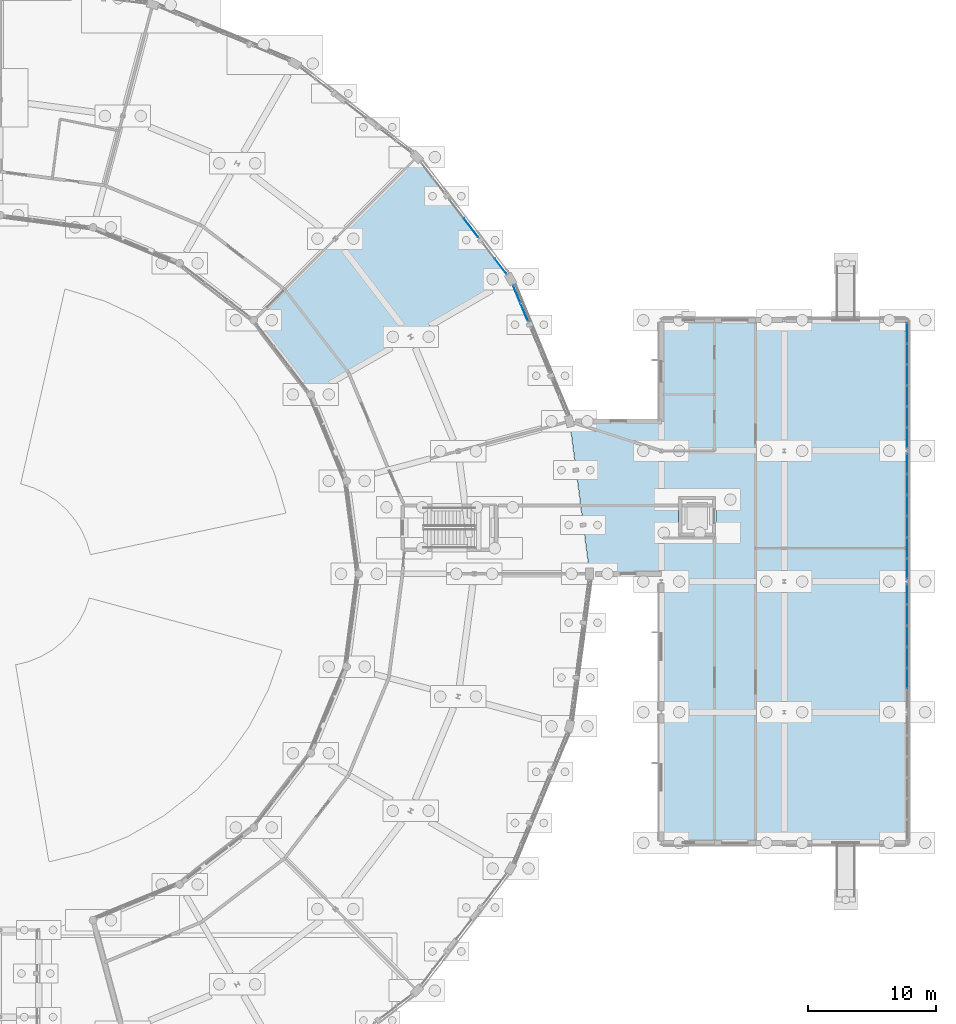
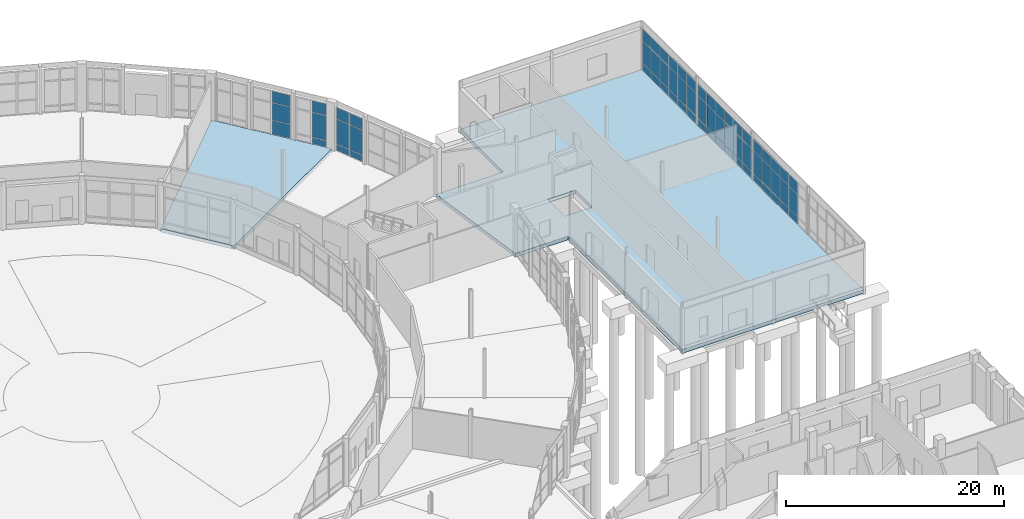
# One storey, part 95 of 137: 63 plates, 2 slabs, 6 elements without a shape of their own.
"""IFC4 building model written with IfcOpenShell, lengths in metres."""

from ifc_helpers import new_model, si_unit, direction, frame, origin, origin_2d, place, context, subcontext, project, spatial, polyline, rectangle, outline, extrude, material, layer, layer_set, type_object, element, aggregate, save


model = new_model("IFC4")

# Units and contexts
model_context = context("Model", 3, precision=1e-05, world=origin(), true_north=direction((0.0, 1.0)))
body_context = subcontext(model_context, "Body", "Model", "MODEL_VIEW")
ifc_project = project(units=[si_unit("LENGTHUNIT", "METRE"), si_unit("AREAUNIT", "SQUARE_METRE"), si_unit("VOLUMEUNIT", "CUBIC_METRE"), si_unit("PLANEANGLEUNIT", "RADIAN"), si_unit("MASSUNIT", "GRAM", prefix="KILO")], contexts=[model_context])

# Site, building, storey
site_placement = place(None, origin())
site = spatial("IfcSite", under=ifc_project, at=site_placement, CompositionType="ELEMENT")
building_placement = place(site_placement, origin())
building = spatial("IfcBuilding", under=site, at=building_placement, Name="Vondelvale Polytechnic", CompositionType="ELEMENT")
storey_placement = place(building_placement, origin())
storey = spatial("IfcBuildingStorey", under=building, at=storey_placement, Name="L00", CompositionType="ELEMENT", Elevation=0.0)

# Curtain wall, plates
ifc_material_1 = material(Name="Glulam GL18 structural Tasmanian oak (fb = 42 MPa)", Category="wood")
curtain_wall_type_1 = type_object("IfcCurtainWallType", Name="CW-RING-OUTER", PredefinedType="NOTDEFINED", material=ifc_material_1)
curtain_wall_1_placement = place(storey_placement, origin())
curtain_wall_1 = element("IfcCurtainWall", 1, at=curtain_wall_1_placement, inside=storey, type_object=curtain_wall_type_1, Name="L00 architectural curtain wall CW-04-076", PredefinedType="NOTDEFINED")
ifc_material_2 = material(Name="Double-glazed low-E insulated architectural glass", Category="glass")
ifc_layer_1 = layer(ifc_material_2, 0.028076171875)
ifc_layer_set_1 = layer_set([ifc_layer_1], Name="CW-PANEL-GLAZED")
plate_type_1 = type_object("IfcPlateType", Name="CW-PANEL-GLAZED", PredefinedType="CURTAIN_PANEL", material=ifc_layer_set_1)
plate_1_placement = place(storey_placement, frame((142.906982421875, 92.417236328125, 0.77978515625), z_axis=(0.0, 0.0, 1.0), x_axis=(-0.382679040691, 0.92388135159, 0.0)))
plate_1 = element("IfcPlate", 2, at=plate_1_placement, type_object=plate_type_1, Name="CW-04-076 panel 1.2", PredefinedType="CURTAIN_PANEL", context=body_context, shape_type="SweptSolid", body=[
    extrude(rectangle(XDim=1.454345703125, YDim=0.028076171875, at=origin_2d()), origin(), (0.0, 0.0, 1.0), 2.760009765625),
])
plate_2_placement = place(storey_placement, frame((142.906982421875, 92.417236328125, 3.60009765625), z_axis=(0.0, 0.0, 1.0), x_axis=(-0.382679040691, 0.92388135159, 0.0)))
plate_2 = element("IfcPlate", 3, at=plate_2_placement, type_object=plate_type_1, Name="CW-04-076 panel 1.3", PredefinedType="CURTAIN_PANEL", context=body_context, shape_type="SweptSolid", body=[
    extrude(rectangle(XDim=1.454345703125, YDim=0.028076171875, at=origin_2d()), origin(), (0.0, 0.0, 1.0), 1.260009765625),
])
plate_3_placement = place(storey_placement, frame((142.325439453125, 93.821044921875, 0.77978515625), z_axis=(0.0, 0.0, 1.0), x_axis=(-0.382679040691, 0.92388135159, 0.0)))
plate_3 = element("IfcPlate", 4, at=plate_3_placement, type_object=plate_type_1, Name="CW-04-076 panel 2.2", PredefinedType="CURTAIN_PANEL", context=body_context, shape_type="SweptSolid", body=[
    extrude(rectangle(XDim=1.454345703125, YDim=0.028076171875, at=origin_2d()), origin(), (0.0, 0.0, 1.0), 2.760009765625),
])
plate_4_placement = place(storey_placement, frame((142.325439453125, 93.821044921875, 3.60009765625), z_axis=(0.0, 0.0, 1.0), x_axis=(-0.382679040691, 0.92388135159, 0.0)))
plate_4 = element("IfcPlate", 5, at=plate_4_placement, type_object=plate_type_1, Name="CW-04-076 panel 2.3", PredefinedType="CURTAIN_PANEL", context=body_context, shape_type="SweptSolid", body=[
    extrude(rectangle(XDim=1.454345703125, YDim=0.028076171875, at=origin_2d()), origin(), (0.0, 0.0, 1.0), 1.260009765625),
])

curtain_wall_2_placement = place(storey_placement, origin())
curtain_wall_2 = element("IfcCurtainWall", 6, at=curtain_wall_2_placement, inside=storey, type_object=curtain_wall_type_1, Name="L00 architectural curtain wall CW-04-086", PredefinedType="NOTDEFINED")
plate_5_placement = place(storey_placement, frame((141.060302734375, 96.012451171875, 0.77978515625), z_axis=(0.0, 0.0, 1.0), x_axis=(-0.608763610584, 0.793351666305, 0.0)))
plate_5 = element("IfcPlate", 7, at=plate_5_placement, type_object=plate_type_1, Name="CW-04-086 panel 1.2", PredefinedType="CURTAIN_PANEL", context=body_context, shape_type="SweptSolid", body=[
    extrude(rectangle(XDim=1.454345703125, YDim=0.028076171875, at=origin_2d()), origin(), (0.0, 0.0, 1.0), 2.760009765625),
])
plate_6_placement = place(storey_placement, frame((141.060302734375, 96.012451171875, 3.60009765625), z_axis=(0.0, 0.0, 1.0), x_axis=(-0.608763610584, 0.793351666305, 0.0)))
plate_6 = element("IfcPlate", 8, at=plate_6_placement, type_object=plate_type_1, Name="CW-04-086 panel 1.3", PredefinedType="CURTAIN_PANEL", context=body_context, shape_type="SweptSolid", body=[
    extrude(rectangle(XDim=1.454345703125, YDim=0.028076171875, at=origin_2d()), origin(), (0.0, 0.0, 1.0), 1.260009765625),
])

ifc_material_3 = material(Name="Anodised extruded aluminium 6063-T6", Category="aluminium")
curtain_wall_type_2 = type_object("IfcCurtainWallType", Name="CW-REFECTORY", PredefinedType="NOTDEFINED", material=ifc_material_3)
curtain_wall_3_placement = place(storey_placement, origin())
curtain_wall_3 = element("IfcCurtainWall", 9, at=curtain_wall_3_placement, inside=storey, type_object=curtain_wall_type_2, Name="L00 architectural curtain wall CW-05-386", PredefinedType="NOTDEFINED")
plate_7_placement = place(storey_placement, frame((172.800048828125, 63.830078125, 0.88232421875), z_axis=(0.0, 0.0, 1.0), x_axis=(0.0, 1.0, 0.0)))
plate_7 = element("IfcPlate", 10, at=plate_7_placement, type_object=plate_type_1, Name="CW-05-386 panel 2.2", PredefinedType="CURTAIN_PANEL", context=body_context, shape_type="SweptSolid", body=[
    extrude(rectangle(XDim=1.57666015625, YDim=0.028076171875, at=origin_2d()), origin(), (0.0, 0.0, 1.0), 2.485107421875),
])
plate_8_placement = place(storey_placement, frame((172.800048828125, 63.830078125, 3.4326171875), z_axis=(0.0, 0.0, 1.0), x_axis=(0.0, 1.0, 0.0)))
plate_8 = element("IfcPlate", 11, at=plate_8_placement, type_object=plate_type_1, Name="CW-05-386 panel 2.3", PredefinedType="CURTAIN_PANEL", context=body_context, shape_type="SweptSolid", body=[
    extrude(rectangle(XDim=1.57666015625, YDim=0.028076171875, at=origin_2d()), origin(), (0.0, 0.0, 1.0), 1.25244140625),
])
plate_9_placement = place(storey_placement, frame((172.800048828125, 65.4765625, 0.88232421875), z_axis=(0.0, 0.0, 1.0), x_axis=(0.0, 1.0, 0.0)))
plate_9 = element("IfcPlate", 12, at=plate_9_placement, type_object=plate_type_1, Name="CW-05-386 panel 3.2", PredefinedType="CURTAIN_PANEL", context=body_context, shape_type="SweptSolid", body=[
    extrude(rectangle(XDim=1.57666015625, YDim=0.028076171875, at=origin_2d()), origin(), (0.0, 0.0, 1.0), 2.485107421875),
])
plate_10_placement = place(storey_placement, frame((172.800048828125, 65.4765625, 3.4326171875), z_axis=(0.0, 0.0, 1.0), x_axis=(0.0, 1.0, 0.0)))
plate_10 = element("IfcPlate", 13, at=plate_10_placement, type_object=plate_type_1, Name="CW-05-386 panel 3.3", PredefinedType="CURTAIN_PANEL", context=body_context, shape_type="SweptSolid", body=[
    extrude(rectangle(XDim=1.57666015625, YDim=0.028076171875, at=origin_2d()), origin(), (0.0, 0.0, 1.0), 1.25244140625),
])
plate_11_placement = place(storey_placement, frame((172.800048828125, 67.123291015625, 0.88232421875), z_axis=(0.0, 0.0, 1.0), x_axis=(0.0, 1.0, 0.0)))
plate_11 = element("IfcPlate", 14, at=plate_11_placement, type_object=plate_type_1, Name="CW-05-386 panel 4.2", PredefinedType="CURTAIN_PANEL", context=body_context, shape_type="SweptSolid", body=[
    extrude(rectangle(XDim=1.57666015625, YDim=0.028076171875, at=origin_2d()), origin(), (0.0, 0.0, 1.0), 2.485107421875),
])
plate_12_placement = place(storey_placement, frame((172.800048828125, 67.123291015625, 3.4326171875), z_axis=(0.0, 0.0, 1.0), x_axis=(0.0, 1.0, 0.0)))
plate_12 = element("IfcPlate", 15, at=plate_12_placement, type_object=plate_type_1, Name="CW-05-386 panel 4.3", PredefinedType="CURTAIN_PANEL", context=body_context, shape_type="SweptSolid", body=[
    extrude(rectangle(XDim=1.57666015625, YDim=0.028076171875, at=origin_2d()), origin(), (0.0, 0.0, 1.0), 1.25244140625),
])
plate_13_placement = place(storey_placement, frame((172.800048828125, 68.77001953125, 0.88232421875), z_axis=(0.0, 0.0, 1.0), x_axis=(0.0, 1.0, 0.0)))
plate_13 = element("IfcPlate", 16, at=plate_13_placement, type_object=plate_type_1, Name="CW-05-386 panel 5.2", PredefinedType="CURTAIN_PANEL", context=body_context, shape_type="SweptSolid", body=[
    extrude(rectangle(XDim=1.57666015625, YDim=0.028076171875, at=origin_2d()), origin(), (0.0, 0.0, 1.0), 2.485107421875),
])
plate_14_placement = place(storey_placement, frame((172.800048828125, 68.77001953125, 3.4326171875), z_axis=(0.0, 0.0, 1.0), x_axis=(0.0, 1.0, 0.0)))
plate_14 = element("IfcPlate", 17, at=plate_14_placement, type_object=plate_type_1, Name="CW-05-386 panel 5.3", PredefinedType="CURTAIN_PANEL", context=body_context, shape_type="SweptSolid", body=[
    extrude(rectangle(XDim=1.57666015625, YDim=0.028076171875, at=origin_2d()), origin(), (0.0, 0.0, 1.0), 1.25244140625),
])
plate_15_placement = place(storey_placement, frame((172.800048828125, 70.399169921875, 0.88232421875), z_axis=(0.0, 0.0, 1.0), x_axis=(0.0, 1.0, 0.0)))
plate_15 = element("IfcPlate", 18, at=plate_15_placement, type_object=plate_type_1, Name="CW-05-386 panel 6.2", PredefinedType="CURTAIN_PANEL", context=body_context, shape_type="SweptSolid", body=[
    extrude(rectangle(XDim=1.541748046875, YDim=0.028076171875, at=origin_2d()), origin(), (0.0, 0.0, 1.0), 2.485107421875),
])
plate_16_placement = place(storey_placement, frame((172.800048828125, 70.399169921875, 3.4326171875), z_axis=(0.0, 0.0, 1.0), x_axis=(0.0, 1.0, 0.0)))
plate_16 = element("IfcPlate", 19, at=plate_16_placement, type_object=plate_type_1, Name="CW-05-386 panel 6.3", PredefinedType="CURTAIN_PANEL", context=body_context, shape_type="SweptSolid", body=[
    extrude(rectangle(XDim=1.541748046875, YDim=0.028076171875, at=origin_2d()), origin(), (0.0, 0.0, 1.0), 1.25244140625),
])

curtain_wall_4_placement = place(storey_placement, origin())
curtain_wall_4 = element("IfcCurtainWall", 20, at=curtain_wall_4_placement, inside=storey, type_object=curtain_wall_type_2, Name="L00 architectural curtain wall CW-05-387", PredefinedType="NOTDEFINED")
plate_17_placement = place(storey_placement, frame((172.800048828125, 72.40087890625, 0.88232421875), z_axis=(0.0, 0.0, 1.0), x_axis=(0.0, 1.0, 0.0)))
plate_17 = element("IfcPlate", 21, at=plate_17_placement, type_object=plate_type_1, Name="CW-05-387 panel 1.2", PredefinedType="CURTAIN_PANEL", context=body_context, shape_type="SweptSolid", body=[
    extrude(rectangle(XDim=1.541748046875, YDim=0.028076171875, at=origin_2d()), origin(), (0.0, 0.0, 1.0), 2.485107421875),
])
plate_18_placement = place(storey_placement, frame((172.800048828125, 72.40087890625, 3.4326171875), z_axis=(0.0, 0.0, 1.0), x_axis=(0.0, 1.0, 0.0)))
plate_18 = element("IfcPlate", 22, at=plate_18_placement, type_object=plate_type_1, Name="CW-05-387 panel 1.3", PredefinedType="CURTAIN_PANEL", context=body_context, shape_type="SweptSolid", body=[
    extrude(rectangle(XDim=1.541748046875, YDim=0.028076171875, at=origin_2d()), origin(), (0.0, 0.0, 1.0), 1.25244140625),
])
plate_19_placement = place(storey_placement, frame((172.800048828125, 74.030029296875, 0.88232421875), z_axis=(0.0, 0.0, 1.0), x_axis=(0.0, 1.0, 0.0)))
plate_19 = element("IfcPlate", 23, at=plate_19_placement, type_object=plate_type_1, Name="CW-05-387 panel 2.2", PredefinedType="CURTAIN_PANEL", context=body_context, shape_type="SweptSolid", body=[
    extrude(rectangle(XDim=1.57666015625, YDim=0.028076171875, at=origin_2d()), origin(), (0.0, 0.0, 1.0), 2.485107421875),
])
plate_20_placement = place(storey_placement, frame((172.800048828125, 74.030029296875, 3.4326171875), z_axis=(0.0, 0.0, 1.0), x_axis=(0.0, 1.0, 0.0)))
plate_20 = element("IfcPlate", 24, at=plate_20_placement, type_object=plate_type_1, Name="CW-05-387 panel 2.3", PredefinedType="CURTAIN_PANEL", context=body_context, shape_type="SweptSolid", body=[
    extrude(rectangle(XDim=1.57666015625, YDim=0.028076171875, at=origin_2d()), origin(), (0.0, 0.0, 1.0), 1.25244140625),
])
plate_21_placement = place(storey_placement, frame((172.800048828125, 75.6767578125, 0.88232421875), z_axis=(0.0, 0.0, 1.0), x_axis=(0.0, 1.0, 0.0)))
plate_21 = element("IfcPlate", 25, at=plate_21_placement, type_object=plate_type_1, Name="CW-05-387 panel 3.2", PredefinedType="CURTAIN_PANEL", context=body_context, shape_type="SweptSolid", body=[
    extrude(rectangle(XDim=1.57666015625, YDim=0.028076171875, at=origin_2d()), origin(), (0.0, 0.0, 1.0), 2.485107421875),
])
plate_22_placement = place(storey_placement, frame((172.800048828125, 75.6767578125, 3.4326171875), z_axis=(0.0, 0.0, 1.0), x_axis=(0.0, 1.0, 0.0)))
plate_22 = element("IfcPlate", 26, at=plate_22_placement, type_object=plate_type_1, Name="CW-05-387 panel 3.3", PredefinedType="CURTAIN_PANEL", context=body_context, shape_type="SweptSolid", body=[
    extrude(rectangle(XDim=1.57666015625, YDim=0.028076171875, at=origin_2d()), origin(), (0.0, 0.0, 1.0), 1.25244140625),
])
plate_23_placement = place(storey_placement, frame((172.800048828125, 77.3232421875, 0.88232421875), z_axis=(0.0, 0.0, 1.0), x_axis=(0.0, 1.0, 0.0)))
plate_23 = element("IfcPlate", 27, at=plate_23_placement, type_object=plate_type_1, Name="CW-05-387 panel 4.2", PredefinedType="CURTAIN_PANEL", context=body_context, shape_type="SweptSolid", body=[
    extrude(rectangle(XDim=1.57666015625, YDim=0.028076171875, at=origin_2d()), origin(), (0.0, 0.0, 1.0), 2.485107421875),
])
plate_24_placement = place(storey_placement, frame((172.800048828125, 77.3232421875, 3.4326171875), z_axis=(0.0, 0.0, 1.0), x_axis=(0.0, 1.0, 0.0)))
plate_24 = element("IfcPlate", 28, at=plate_24_placement, type_object=plate_type_1, Name="CW-05-387 panel 4.3", PredefinedType="CURTAIN_PANEL", context=body_context, shape_type="SweptSolid", body=[
    extrude(rectangle(XDim=1.57666015625, YDim=0.028076171875, at=origin_2d()), origin(), (0.0, 0.0, 1.0), 1.25244140625),
])
plate_25_placement = place(storey_placement, frame((172.800048828125, 78.969970703125, 0.88232421875), z_axis=(0.0, 0.0, 1.0), x_axis=(0.0, 1.0, 0.0)))
plate_25 = element("IfcPlate", 29, at=plate_25_placement, type_object=plate_type_1, Name="CW-05-387 panel 5.2", PredefinedType="CURTAIN_PANEL", context=body_context, shape_type="SweptSolid", body=[
    extrude(rectangle(XDim=1.57666015625, YDim=0.028076171875, at=origin_2d()), origin(), (0.0, 0.0, 1.0), 2.485107421875),
])
plate_26_placement = place(storey_placement, frame((172.800048828125, 78.969970703125, 3.4326171875), z_axis=(0.0, 0.0, 1.0), x_axis=(0.0, 1.0, 0.0)))
plate_26 = element("IfcPlate", 30, at=plate_26_placement, type_object=plate_type_1, Name="CW-05-387 panel 5.3", PredefinedType="CURTAIN_PANEL", context=body_context, shape_type="SweptSolid", body=[
    extrude(rectangle(XDim=1.57666015625, YDim=0.028076171875, at=origin_2d()), origin(), (0.0, 0.0, 1.0), 1.25244140625),
])
plate_27_placement = place(storey_placement, frame((172.800048828125, 80.59912109375, 0.88232421875), z_axis=(0.0, 0.0, 1.0), x_axis=(0.0, 1.0, 0.0)))
plate_27 = element("IfcPlate", 31, at=plate_27_placement, type_object=plate_type_1, Name="CW-05-387 panel 6.2", PredefinedType="CURTAIN_PANEL", context=body_context, shape_type="SweptSolid", body=[
    extrude(rectangle(XDim=1.541748046875, YDim=0.028076171875, at=origin_2d()), origin(), (0.0, 0.0, 1.0), 2.485107421875),
])
plate_28_placement = place(storey_placement, frame((172.800048828125, 80.59912109375, 3.4326171875), z_axis=(0.0, 0.0, 1.0), x_axis=(0.0, 1.0, 0.0)))
plate_28 = element("IfcPlate", 32, at=plate_28_placement, type_object=plate_type_1, Name="CW-05-387 panel 6.3", PredefinedType="CURTAIN_PANEL", context=body_context, shape_type="SweptSolid", body=[
    extrude(rectangle(XDim=1.541748046875, YDim=0.028076171875, at=origin_2d()), origin(), (0.0, 0.0, 1.0), 1.25244140625),
])

curtain_wall_5_placement = place(storey_placement, origin())
curtain_wall_5 = element("IfcCurtainWall", 33, at=curtain_wall_5_placement, inside=storey, type_object=curtain_wall_type_2, Name="L00 architectural curtain wall CW-05-388", PredefinedType="NOTDEFINED")
plate_29_placement = place(storey_placement, frame((172.800048828125, 82.600830078125, 0.88232421875), z_axis=(0.0, 0.0, 1.0), x_axis=(0.0, 1.0, 0.0)))
plate_29 = element("IfcPlate", 34, at=plate_29_placement, type_object=plate_type_1, Name="CW-05-388 panel 1.2", PredefinedType="CURTAIN_PANEL", context=body_context, shape_type="SweptSolid", body=[
    extrude(rectangle(XDim=1.541748046875, YDim=0.028076171875, at=origin_2d()), origin(), (0.0, 0.0, 1.0), 2.485107421875),
])
plate_30_placement = place(storey_placement, frame((172.800048828125, 82.600830078125, 3.4326171875), z_axis=(0.0, 0.0, 1.0), x_axis=(0.0, 1.0, 0.0)))
plate_30 = element("IfcPlate", 35, at=plate_30_placement, type_object=plate_type_1, Name="CW-05-388 panel 1.3", PredefinedType="CURTAIN_PANEL", context=body_context, shape_type="SweptSolid", body=[
    extrude(rectangle(XDim=1.541748046875, YDim=0.028076171875, at=origin_2d()), origin(), (0.0, 0.0, 1.0), 1.25244140625),
])
plate_31_placement = place(storey_placement, frame((172.800048828125, 84.22998046875, 0.88232421875), z_axis=(0.0, 0.0, 1.0), x_axis=(0.0, 1.0, 0.0)))
plate_31 = element("IfcPlate", 36, at=plate_31_placement, type_object=plate_type_1, Name="CW-05-388 panel 2.2", PredefinedType="CURTAIN_PANEL", context=body_context, shape_type="SweptSolid", body=[
    extrude(rectangle(XDim=1.57666015625, YDim=0.028076171875, at=origin_2d()), origin(), (0.0, 0.0, 1.0), 2.485107421875),
])
plate_32_placement = place(storey_placement, frame((172.800048828125, 84.22998046875, 3.4326171875), z_axis=(0.0, 0.0, 1.0), x_axis=(0.0, 1.0, 0.0)))
plate_32 = element("IfcPlate", 37, at=plate_32_placement, type_object=plate_type_1, Name="CW-05-388 panel 2.3", PredefinedType="CURTAIN_PANEL", context=body_context, shape_type="SweptSolid", body=[
    extrude(rectangle(XDim=1.57666015625, YDim=0.028076171875, at=origin_2d()), origin(), (0.0, 0.0, 1.0), 1.25244140625),
])
plate_33_placement = place(storey_placement, frame((172.800048828125, 85.876708984375, 0.88232421875), z_axis=(0.0, 0.0, 1.0), x_axis=(0.0, 1.0, 0.0)))
plate_33 = element("IfcPlate", 38, at=plate_33_placement, type_object=plate_type_1, Name="CW-05-388 panel 3.2", PredefinedType="CURTAIN_PANEL", context=body_context, shape_type="SweptSolid", body=[
    extrude(rectangle(XDim=1.57666015625, YDim=0.028076171875, at=origin_2d()), origin(), (0.0, 0.0, 1.0), 2.485107421875),
])
plate_34_placement = place(storey_placement, frame((172.800048828125, 85.876708984375, 3.4326171875), z_axis=(0.0, 0.0, 1.0), x_axis=(0.0, 1.0, 0.0)))
plate_34 = element("IfcPlate", 39, at=plate_34_placement, type_object=plate_type_1, Name="CW-05-388 panel 3.3", PredefinedType="CURTAIN_PANEL", context=body_context, shape_type="SweptSolid", body=[
    extrude(rectangle(XDim=1.57666015625, YDim=0.028076171875, at=origin_2d()), origin(), (0.0, 0.0, 1.0), 1.25244140625),
])
plate_35_placement = place(storey_placement, frame((172.800048828125, 87.5234375, 0.88232421875), z_axis=(0.0, 0.0, 1.0), x_axis=(0.0, 1.0, 0.0)))
plate_35 = element("IfcPlate", 40, at=plate_35_placement, type_object=plate_type_1, Name="CW-05-388 panel 4.2", PredefinedType="CURTAIN_PANEL", context=body_context, shape_type="SweptSolid", body=[
    extrude(rectangle(XDim=1.57666015625, YDim=0.028076171875, at=origin_2d()), origin(), (0.0, 0.0, 1.0), 2.485107421875),
])
plate_36_placement = place(storey_placement, frame((172.800048828125, 87.5234375, 3.4326171875), z_axis=(0.0, 0.0, 1.0), x_axis=(0.0, 1.0, 0.0)))
plate_36 = element("IfcPlate", 41, at=plate_36_placement, type_object=plate_type_1, Name="CW-05-388 panel 4.3", PredefinedType="CURTAIN_PANEL", context=body_context, shape_type="SweptSolid", body=[
    extrude(rectangle(XDim=1.57666015625, YDim=0.028076171875, at=origin_2d()), origin(), (0.0, 0.0, 1.0), 1.25244140625),
])
plate_37_placement = place(storey_placement, frame((172.800048828125, 89.169921875, 0.88232421875), z_axis=(0.0, 0.0, 1.0), x_axis=(0.0, 1.0, 0.0)))
plate_37 = element("IfcPlate", 42, at=plate_37_placement, type_object=plate_type_1, Name="CW-05-388 panel 5.2", PredefinedType="CURTAIN_PANEL", context=body_context, shape_type="SweptSolid", body=[
    extrude(rectangle(XDim=1.57666015625, YDim=0.028076171875, at=origin_2d()), origin(), (0.0, 0.0, 1.0), 2.485107421875),
])
plate_38_placement = place(storey_placement, frame((172.800048828125, 89.169921875, 3.4326171875), z_axis=(0.0, 0.0, 1.0), x_axis=(0.0, 1.0, 0.0)))
plate_38 = element("IfcPlate", 43, at=plate_38_placement, type_object=plate_type_1, Name="CW-05-388 panel 5.3", PredefinedType="CURTAIN_PANEL", context=body_context, shape_type="SweptSolid", body=[
    extrude(rectangle(XDim=1.57666015625, YDim=0.028076171875, at=origin_2d()), origin(), (0.0, 0.0, 1.0), 1.25244140625),
])
plate_39_placement = place(storey_placement, frame((172.800048828125, 90.799072265625, 0.88232421875), z_axis=(0.0, 0.0, 1.0), x_axis=(0.0, 1.0, 0.0)))
plate_39 = element("IfcPlate", 44, at=plate_39_placement, type_object=plate_type_1, Name="CW-05-388 panel 6.2", PredefinedType="CURTAIN_PANEL", context=body_context, shape_type="SweptSolid", body=[
    extrude(rectangle(XDim=1.541748046875, YDim=0.028076171875, at=origin_2d()), origin(), (0.0, 0.0, 1.0), 2.485107421875),
])
plate_40_placement = place(storey_placement, frame((172.800048828125, 90.799072265625, 3.4326171875), z_axis=(0.0, 0.0, 1.0), x_axis=(0.0, 1.0, 0.0)))
plate_40 = element("IfcPlate", 45, at=plate_40_placement, type_object=plate_type_1, Name="CW-05-388 panel 6.3", PredefinedType="CURTAIN_PANEL", context=body_context, shape_type="SweptSolid", body=[
    extrude(rectangle(XDim=1.541748046875, YDim=0.028076171875, at=origin_2d()), origin(), (0.0, 0.0, 1.0), 1.25244140625),
])

curtain_wall_6_placement = place(storey_placement, origin())
curtain_wall_6 = element("IfcCurtainWall", 46, at=curtain_wall_6_placement, inside=storey, type_object=curtain_wall_type_1, Name="L00 architectural curtain wall CW-04-087", PredefinedType="NOTDEFINED")
ifc_material_4 = material(Name="Engineered Tasmanian oak studio and bridge joinery")
ifc_layer_2 = layer(ifc_material_4, 0.0419921875)
ifc_layer_set_2 = layer_set([ifc_layer_2], Name="CW-PANEL-OAK")
plate_type_2 = type_object("IfcPlateType", Name="CW-PANEL-OAK", PredefinedType="CURTAIN_PANEL", material=ifc_layer_set_2)
plate_41_placement = place(storey_placement, frame((138.75244140625, 99.02001953125, 0.06005859375), z_axis=(0.0, 0.0, 1.0), x_axis=(-0.608771189063, 0.793345851043, 0.0)))
plate_41 = element("IfcPlate", 47, at=plate_41_placement, type_object=plate_type_2, Name="CW-04-087 panel 1.1", PredefinedType="CURTAIN_PANEL", context=body_context, shape_type="SweptSolid", body=[
    extrude(rectangle(XDim=1.80908203125, YDim=0.0419921875, at=origin_2d()), origin(), (0.0, 0.0, 1.0), 1.510009765625),
])
plate_42_placement = place(storey_placement, frame((138.75244140625, 99.02001953125, 1.6298828125), z_axis=(0.0, 0.0, 1.0), x_axis=(-0.608771189063, 0.793345851043, 0.0)))
plate_42 = element("IfcPlate", 48, at=plate_42_placement, type_object=plate_type_2, Name="CW-04-087 panel 1.2", PredefinedType="CURTAIN_PANEL", context=body_context, shape_type="SweptSolid", body=[
    extrude(rectangle(XDim=1.80908203125, YDim=0.0419921875, at=origin_2d()), origin(), (0.0, 0.0, 1.0), 1.909912109375),
])
plate_43_placement = place(storey_placement, frame((138.75244140625, 99.02001953125, 3.60009765625), z_axis=(0.0, 0.0, 1.0), x_axis=(-0.608771189063, 0.793345851043, 0.0)))
plate_43 = element("IfcPlate", 49, at=plate_43_placement, type_object=plate_type_2, Name="CW-04-087 panel 1.3", PredefinedType="CURTAIN_PANEL", context=body_context, shape_type="SweptSolid", body=[
    extrude(rectangle(XDim=1.80908203125, YDim=0.0419921875, at=origin_2d()), origin(), (0.0, 0.0, 1.0), 1.260009765625),
])
aggregate(curtain_wall_6, [plate_41, plate_42, plate_43])

# Plate
ifc_material_5 = material(Name="Kiln-fired architectural terracotta", Category="masonry")
ifc_layer_3 = layer(ifc_material_5, 0.035888671875)
ifc_layer_set_3 = layer_set([ifc_layer_3], Name="CW-PANEL-SPANDREL")
plate_type_3 = type_object("IfcPlateType", Name="CW-PANEL-SPANDREL", PredefinedType="CURTAIN_PANEL", material=ifc_layer_set_3)
plate_44_placement = place(storey_placement, frame((142.906982421875, 92.417236328125, 0.06005859375), z_axis=(0.0, 0.0, 1.0), x_axis=(-0.382679040691, 0.92388135159, 0.0)))
plate_44 = element("IfcPlate", 50, at=plate_44_placement, type_object=plate_type_3, Name="CW-04-076 panel 1.1", PredefinedType="CURTAIN_PANEL", context=body_context, shape_type="SweptSolid", body=[
    extrude(rectangle(XDim=1.454345703125, YDim=0.035888671875, at=origin_2d()), origin(), (0.0, 0.0, 1.0), 0.659912109375),
])

plate_45_placement = place(storey_placement, frame((142.325439453125, 93.821044921875, 0.06005859375), z_axis=(0.0, 0.0, 1.0), x_axis=(-0.382679040691, 0.92388135159, 0.0)))
plate_45 = element("IfcPlate", 51, at=plate_45_placement, type_object=plate_type_3, Name="CW-04-076 panel 2.1", PredefinedType="CURTAIN_PANEL", context=body_context, shape_type="SweptSolid", body=[
    extrude(rectangle(XDim=1.454345703125, YDim=0.035888671875, at=origin_2d()), origin(), (0.0, 0.0, 1.0), 0.659912109375),
])

aggregate(curtain_wall_1, [plate_44, plate_1, plate_2, plate_45, plate_3, plate_4])

plate_46_placement = place(storey_placement, frame((141.060302734375, 96.012451171875, 0.06005859375), z_axis=(0.0, 0.0, 1.0), x_axis=(-0.608763610584, 0.793351666305, 0.0)))
plate_46 = element("IfcPlate", 52, at=plate_46_placement, type_object=plate_type_3, Name="CW-04-086 panel 1.1", PredefinedType="CURTAIN_PANEL", context=body_context, shape_type="SweptSolid", body=[
    extrude(rectangle(XDim=1.454345703125, YDim=0.035888671875, at=origin_2d()), origin(), (0.0, 0.0, 1.0), 0.659912109375),
])

aggregate(curtain_wall_2, [plate_46, plate_5, plate_6])

plate_47_placement = place(storey_placement, frame((172.800048828125, 63.830078125, 0.06494140625), z_axis=(0.0, 0.0, 1.0), x_axis=(0.0, 1.0, 0.0)))
plate_47 = element("IfcPlate", 53, at=plate_47_placement, type_object=plate_type_3, Name="CW-05-386 panel 2.1", PredefinedType="CURTAIN_PANEL", context=body_context, shape_type="SweptSolid", body=[
    extrude(rectangle(XDim=1.57666015625, YDim=0.035888671875, at=origin_2d()), origin(), (0.0, 0.0, 1.0), 0.75244140625),
])

plate_48_placement = place(storey_placement, frame((172.800048828125, 65.4765625, 0.06494140625), z_axis=(0.0, 0.0, 1.0), x_axis=(0.0, 1.0, 0.0)))
plate_48 = element("IfcPlate", 54, at=plate_48_placement, type_object=plate_type_3, Name="CW-05-386 panel 3.1", PredefinedType="CURTAIN_PANEL", context=body_context, shape_type="SweptSolid", body=[
    extrude(rectangle(XDim=1.57666015625, YDim=0.035888671875, at=origin_2d()), origin(), (0.0, 0.0, 1.0), 0.75244140625),
])

plate_49_placement = place(storey_placement, frame((172.800048828125, 67.123291015625, 0.06494140625), z_axis=(0.0, 0.0, 1.0), x_axis=(0.0, 1.0, 0.0)))
plate_49 = element("IfcPlate", 55, at=plate_49_placement, type_object=plate_type_3, Name="CW-05-386 panel 4.1", PredefinedType="CURTAIN_PANEL", context=body_context, shape_type="SweptSolid", body=[
    extrude(rectangle(XDim=1.57666015625, YDim=0.035888671875, at=origin_2d()), origin(), (0.0, 0.0, 1.0), 0.75244140625),
])

plate_50_placement = place(storey_placement, frame((172.800048828125, 68.77001953125, 0.06494140625), z_axis=(0.0, 0.0, 1.0), x_axis=(0.0, 1.0, 0.0)))
plate_50 = element("IfcPlate", 56, at=plate_50_placement, type_object=plate_type_3, Name="CW-05-386 panel 5.1", PredefinedType="CURTAIN_PANEL", context=body_context, shape_type="SweptSolid", body=[
    extrude(rectangle(XDim=1.57666015625, YDim=0.035888671875, at=origin_2d()), origin(), (0.0, 0.0, 1.0), 0.75244140625),
])

plate_51_placement = place(storey_placement, frame((172.800048828125, 70.399169921875, 0.06494140625), z_axis=(0.0, 0.0, 1.0), x_axis=(0.0, 1.0, 0.0)))
plate_51 = element("IfcPlate", 57, at=plate_51_placement, type_object=plate_type_3, Name="CW-05-386 panel 6.1", PredefinedType="CURTAIN_PANEL", context=body_context, shape_type="SweptSolid", body=[
    extrude(rectangle(XDim=1.541748046875, YDim=0.035888671875, at=origin_2d()), origin(), (0.0, 0.0, 1.0), 0.75244140625),
])

aggregate(curtain_wall_3, [plate_47, plate_7, plate_8, plate_48, plate_9, plate_10, plate_49, plate_11, plate_12, plate_50, plate_13, plate_14, plate_51, plate_15, plate_16])

plate_52_placement = place(storey_placement, frame((172.800048828125, 72.40087890625, 0.06494140625), z_axis=(0.0, 0.0, 1.0), x_axis=(0.0, 1.0, 0.0)))
plate_52 = element("IfcPlate", 58, at=plate_52_placement, type_object=plate_type_3, Name="CW-05-387 panel 1.1", PredefinedType="CURTAIN_PANEL", context=body_context, shape_type="SweptSolid", body=[
    extrude(rectangle(XDim=1.541748046875, YDim=0.035888671875, at=origin_2d()), origin(), (0.0, 0.0, 1.0), 0.75244140625),
])

plate_53_placement = place(storey_placement, frame((172.800048828125, 74.030029296875, 0.06494140625), z_axis=(0.0, 0.0, 1.0), x_axis=(0.0, 1.0, 0.0)))
plate_53 = element("IfcPlate", 59, at=plate_53_placement, type_object=plate_type_3, Name="CW-05-387 panel 2.1", PredefinedType="CURTAIN_PANEL", context=body_context, shape_type="SweptSolid", body=[
    extrude(rectangle(XDim=1.57666015625, YDim=0.035888671875, at=origin_2d()), origin(), (0.0, 0.0, 1.0), 0.75244140625),
])

plate_54_placement = place(storey_placement, frame((172.800048828125, 75.6767578125, 0.06494140625), z_axis=(0.0, 0.0, 1.0), x_axis=(0.0, 1.0, 0.0)))
plate_54 = element("IfcPlate", 60, at=plate_54_placement, type_object=plate_type_3, Name="CW-05-387 panel 3.1", PredefinedType="CURTAIN_PANEL", context=body_context, shape_type="SweptSolid", body=[
    extrude(rectangle(XDim=1.57666015625, YDim=0.035888671875, at=origin_2d()), origin(), (0.0, 0.0, 1.0), 0.75244140625),
])

plate_55_placement = place(storey_placement, frame((172.800048828125, 77.3232421875, 0.06494140625), z_axis=(0.0, 0.0, 1.0), x_axis=(0.0, 1.0, 0.0)))
plate_55 = element("IfcPlate", 61, at=plate_55_placement, type_object=plate_type_3, Name="CW-05-387 panel 4.1", PredefinedType="CURTAIN_PANEL", context=body_context, shape_type="SweptSolid", body=[
    extrude(rectangle(XDim=1.57666015625, YDim=0.035888671875, at=origin_2d()), origin(), (0.0, 0.0, 1.0), 0.75244140625),
])

plate_56_placement = place(storey_placement, frame((172.800048828125, 78.969970703125, 0.06494140625), z_axis=(0.0, 0.0, 1.0), x_axis=(0.0, 1.0, 0.0)))
plate_56 = element("IfcPlate", 62, at=plate_56_placement, type_object=plate_type_3, Name="CW-05-387 panel 5.1", PredefinedType="CURTAIN_PANEL", context=body_context, shape_type="SweptSolid", body=[
    extrude(rectangle(XDim=1.57666015625, YDim=0.035888671875, at=origin_2d()), origin(), (0.0, 0.0, 1.0), 0.75244140625),
])

plate_57_placement = place(storey_placement, frame((172.800048828125, 80.59912109375, 0.06494140625), z_axis=(0.0, 0.0, 1.0), x_axis=(0.0, 1.0, 0.0)))
plate_57 = element("IfcPlate", 63, at=plate_57_placement, type_object=plate_type_3, Name="CW-05-387 panel 6.1", PredefinedType="CURTAIN_PANEL", context=body_context, shape_type="SweptSolid", body=[
    extrude(rectangle(XDim=1.541748046875, YDim=0.035888671875, at=origin_2d()), origin(), (0.0, 0.0, 1.0), 0.75244140625),
])

aggregate(curtain_wall_4, [plate_52, plate_17, plate_18, plate_53, plate_19, plate_20, plate_54, plate_21, plate_22, plate_55, plate_23, plate_24, plate_56, plate_25, plate_26, plate_57, plate_27, plate_28])

plate_58_placement = place(storey_placement, frame((172.800048828125, 82.600830078125, 0.06494140625), z_axis=(0.0, 0.0, 1.0), x_axis=(0.0, 1.0, 0.0)))
plate_58 = element("IfcPlate", 64, at=plate_58_placement, type_object=plate_type_3, Name="CW-05-388 panel 1.1", PredefinedType="CURTAIN_PANEL", context=body_context, shape_type="SweptSolid", body=[
    extrude(rectangle(XDim=1.541748046875, YDim=0.035888671875, at=origin_2d()), origin(), (0.0, 0.0, 1.0), 0.75244140625),
])

plate_59_placement = place(storey_placement, frame((172.800048828125, 84.22998046875, 0.06494140625), z_axis=(0.0, 0.0, 1.0), x_axis=(0.0, 1.0, 0.0)))
plate_59 = element("IfcPlate", 65, at=plate_59_placement, type_object=plate_type_3, Name="CW-05-388 panel 2.1", PredefinedType="CURTAIN_PANEL", context=body_context, shape_type="SweptSolid", body=[
    extrude(rectangle(XDim=1.57666015625, YDim=0.035888671875, at=origin_2d()), origin(), (0.0, 0.0, 1.0), 0.75244140625),
])

plate_60_placement = place(storey_placement, frame((172.800048828125, 85.876708984375, 0.06494140625), z_axis=(0.0, 0.0, 1.0), x_axis=(0.0, 1.0, 0.0)))
plate_60 = element("IfcPlate", 66, at=plate_60_placement, type_object=plate_type_3, Name="CW-05-388 panel 3.1", PredefinedType="CURTAIN_PANEL", context=body_context, shape_type="SweptSolid", body=[
    extrude(rectangle(XDim=1.57666015625, YDim=0.035888671875, at=origin_2d()), origin(), (0.0, 0.0, 1.0), 0.75244140625),
])

plate_61_placement = place(storey_placement, frame((172.800048828125, 87.5234375, 0.06494140625), z_axis=(0.0, 0.0, 1.0), x_axis=(0.0, 1.0, 0.0)))
plate_61 = element("IfcPlate", 67, at=plate_61_placement, type_object=plate_type_3, Name="CW-05-388 panel 4.1", PredefinedType="CURTAIN_PANEL", context=body_context, shape_type="SweptSolid", body=[
    extrude(rectangle(XDim=1.57666015625, YDim=0.035888671875, at=origin_2d()), origin(), (0.0, 0.0, 1.0), 0.75244140625),
])

plate_62_placement = place(storey_placement, frame((172.800048828125, 89.169921875, 0.06494140625), z_axis=(0.0, 0.0, 1.0), x_axis=(0.0, 1.0, 0.0)))
plate_62 = element("IfcPlate", 68, at=plate_62_placement, type_object=plate_type_3, Name="CW-05-388 panel 5.1", PredefinedType="CURTAIN_PANEL", context=body_context, shape_type="SweptSolid", body=[
    extrude(rectangle(XDim=1.57666015625, YDim=0.035888671875, at=origin_2d()), origin(), (0.0, 0.0, 1.0), 0.75244140625),
])

plate_63_placement = place(storey_placement, frame((172.800048828125, 90.799072265625, 0.06494140625), z_axis=(0.0, 0.0, 1.0), x_axis=(0.0, 1.0, 0.0)))
plate_63 = element("IfcPlate", 69, at=plate_63_placement, type_object=plate_type_3, Name="CW-05-388 panel 6.1", PredefinedType="CURTAIN_PANEL", context=body_context, shape_type="SweptSolid", body=[
    extrude(rectangle(XDim=1.541748046875, YDim=0.035888671875, at=origin_2d()), origin(), (0.0, 0.0, 1.0), 0.75244140625),
])

aggregate(curtain_wall_5, [plate_58, plate_29, plate_30, plate_59, plate_31, plate_32, plate_60, plate_33, plate_34, plate_61, plate_35, plate_36, plate_62, plate_37, plate_38, plate_63, plate_39, plate_40])

# Slabs
ifc_material_6 = material(Name="Concrete N40 (f'c = 40 MPa)", Category="concrete")
ifc_layer_4 = layer(ifc_material_6, 0.39990234375)
ifc_layer_set_4 = layer_set([ifc_layer_4], Name="SLB-BASE-400")
slab_type = type_object("IfcSlabType", Name="SLB-BASE-400", PredefinedType="BASESLAB", material=ifc_layer_set_4)
slab_1_placement = place(storey_placement, frame((0.0, 0.0, -0.39990234375)))
element("IfcSlab", 70, at=slab_1_placement, inside=storey, type_object=slab_type, Name="L00 circular ring sector 02 floor slab", PredefinedType="BASESLAB", context=body_context, shape_type="SweptSolid", body=[
    extrude(outline(polyline([(126.248779296875, 86.0), (141.837158203125, 95.0), (134.52685546875, 104.52685546875), (121.799072265625, 91.799072265625), (126.248779296875, 86.0)])), origin(), (0.0, 0.0, 1.0), 0.39990234375),
])
slab_2_placement = place(storey_placement, frame((0.0, 0.0, -0.39990234375)))
element("IfcSlab", 71, at=slab_2_placement, inside=storey, type_object=slab_type, Name="L00 East refectory pavilion base slab", PredefinedType="BASESLAB", context=body_context, shape_type="SweptSolid", body=[
    extrude(outline(polyline([(153.60009765625, 51.0), (172.800048828125, 51.0), (172.800048828125, 91.800048828125), (153.60009765625, 91.800048828125), (153.60009765625, 83.90576171875), (146.45263671875, 83.90576171875), (148.02001953125, 72.0), (153.60009765625, 72.0), (153.60009765625, 51.0)]), holes=[polyline([(154.93994140625, 74.93994140625), (157.860107421875, 74.93994140625), (157.860107421875, 78.06005859375), (154.93994140625, 78.06005859375), (154.93994140625, 74.93994140625)])]), origin(), (0.0, 0.0, 1.0), 0.39990234375),
])

save(model, "model.ifc")
